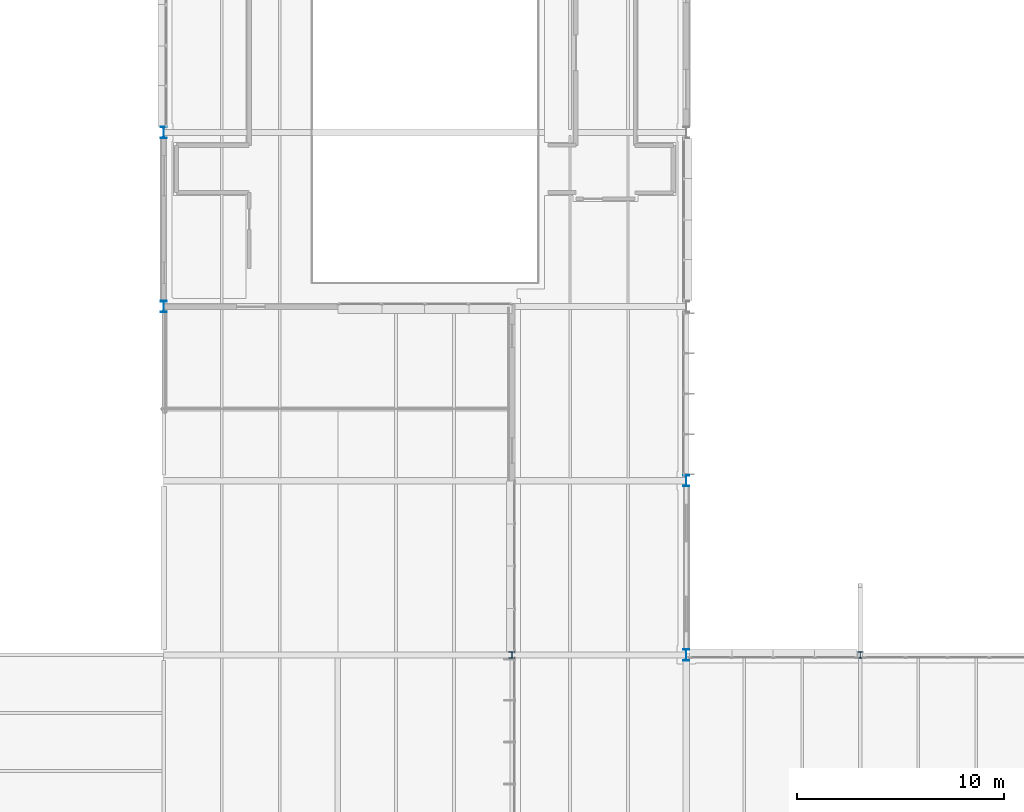
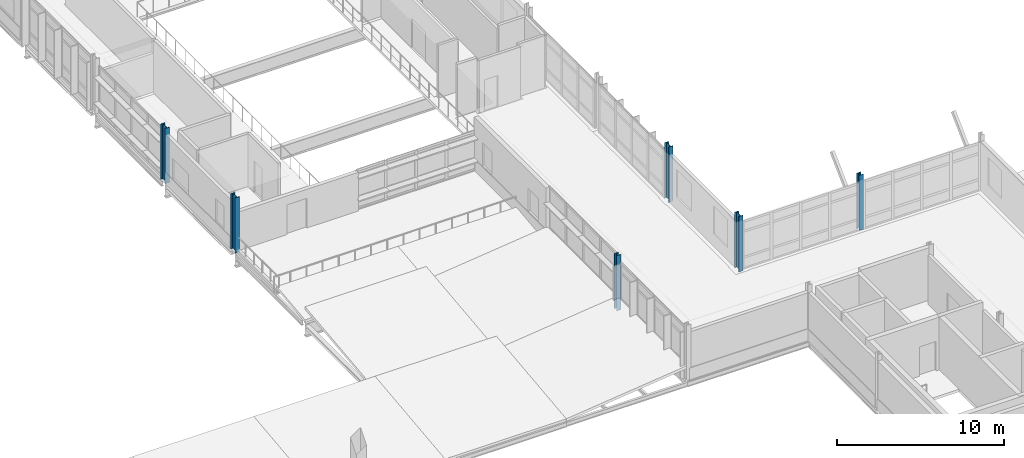
# One storey, part 3 of 131: 6 columns.
"""IFC4 building model written with IfcOpenShell, lengths in metres."""

from ifc_helpers import new_model, si_unit, direction, frame, origin, origin_2d, place, context, subcontext, project, spatial, i_section, extrude, material, material_profile, profile_set, type_object, element, save


model = new_model("IFC4")

# Units and contexts
model_context = context("Model", 3, precision=1e-05, world=origin(), true_north=direction((0.0, 1.0)))
body_context = subcontext(model_context, "Body", "Model", "MODEL_VIEW")
ifc_project = project(units=[si_unit("LENGTHUNIT", "METRE"), si_unit("AREAUNIT", "SQUARE_METRE"), si_unit("VOLUMEUNIT", "CUBIC_METRE"), si_unit("PLANEANGLEUNIT", "RADIAN"), si_unit("MASSUNIT", "GRAM", prefix="KILO")], contexts=[model_context])

# Site, building, storey
site_placement = place(None, origin())
site = spatial("IfcSite", under=ifc_project, at=site_placement, CompositionType="ELEMENT")
building_placement = place(site_placement, origin())
building = spatial("IfcBuilding", under=site, at=building_placement, Name="Mersafa Astral City Hall", CompositionType="ELEMENT")
storey_placement = place(building_placement, frame((0.0, 0.0, 13.949951171875)))
storey = spatial("IfcBuildingStorey", under=building, at=storey_placement, Name="L03", CompositionType="ELEMENT", Elevation=13.949951171875)

# Columns
ifc_material = material(Name="Steel S355", Category="steel")
ifc_material_profile_1 = material_profile(ifc_material, i_section(OverallWidth=0.300048828125, OverallDepth=0.300048828125, WebThickness=0.010986328125, FlangeThickness=0.01904296875, FilletRadius=0.027099609375, at=origin_2d()), Name="HEB 300")
ifc_profile_set_1 = profile_set([ifc_material_profile_1], Name="Steel S355")
column_type_1 = type_object("IfcColumnType", Name="STR-COL-HEB300", PredefinedType="COLUMN", material=ifc_profile_set_1)
for number, where, z_axis, x_axis, name in (
    (1, (109.199951171875, 33.60009765625, 0.0), (0.0, 0.0, 1.0), (1.0, 0.0, 0.0), "L03 Structural column G-13-04"),
    (2, (126.0, 33.60009765625, 0.0), (0.0, 0.0, 1.0), (1.0, 0.0, 0.0), "L03 Structural column G-15-04"),
):
    element("IfcColumn", number, at=place(storey_placement, frame(where, z_axis=z_axis, x_axis=x_axis)), inside=storey, type_object=column_type_1, Name=name, PredefinedType="COLUMN", context=body_context, shape_type="SweptSolid", body=[
        extrude(i_section(OverallWidth=0.300048828125, OverallDepth=0.300048828125, WebThickness=0.010986328125, FlangeThickness=0.01904296875, FilletRadius=0.027099609375, at=origin_2d()), origin(), (0.0, 0.0, 1.0), 4.050048828125),
    ])
ifc_material_profile_2 = material_profile(ifc_material, i_section(OverallWidth=0.300048828125, OverallDepth=0.550048828125, WebThickness=0.014892578125, FlangeThickness=0.029052734375, FilletRadius=0.027099609375, at=origin_2d()), Name="HEB 550")
ifc_profile_set_2 = profile_set([ifc_material_profile_2], Name="Steel S355")
column_type_2 = type_object("IfcColumnType", Name="STR-COL-HEB550", PredefinedType="COLUMN", material=ifc_profile_set_2)
for number, where, z_axis, x_axis, name in (
    (3, (92.39990234375, 50.39990234375, 0.0), (0.0, 0.0, 1.0), (1.0, 0.0, 0.0), "L03 Structural column G-11-06"),
    (4, (92.39990234375, 58.800048828125, 0.0), (0.0, 0.0, 1.0), (1.0, 0.0, 0.0), "L03 Structural column G-11-07"),
    (5, (117.60009765625, 33.60009765625, 0.0), (0.0, 0.0, 1.0), (1.0, 0.0, 0.0), "L03 Structural column G-14-04"),
    (6, (117.60009765625, 42.0, 0.0), (0.0, 0.0, 1.0), (1.0, 0.0, 0.0), "L03 Structural column G-14-05"),
):
    element("IfcColumn", number, at=place(storey_placement, frame(where, z_axis=z_axis, x_axis=x_axis)), inside=storey, type_object=column_type_2, Name=name, PredefinedType="COLUMN", context=body_context, shape_type="SweptSolid", body=[
        extrude(i_section(OverallWidth=0.300048828125, OverallDepth=0.550048828125, WebThickness=0.014892578125, FlangeThickness=0.029052734375, FilletRadius=0.027099609375, at=origin_2d()), origin(), (0.0, 0.0, 1.0), 4.050048828125),
    ])

save(model, "model.ifc")
